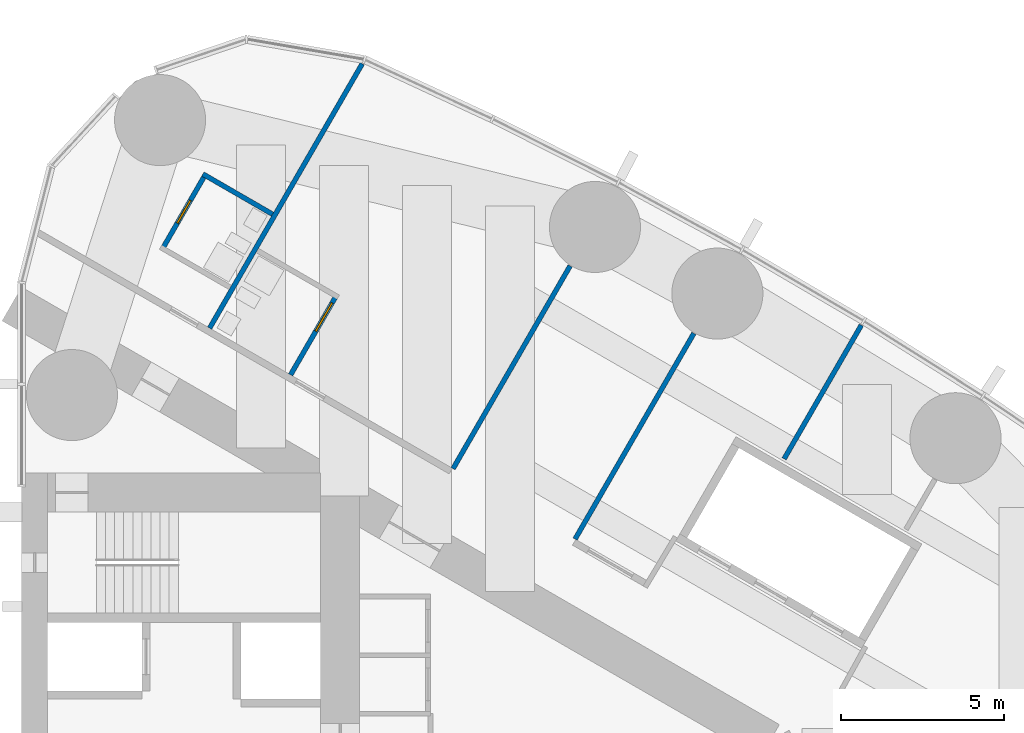
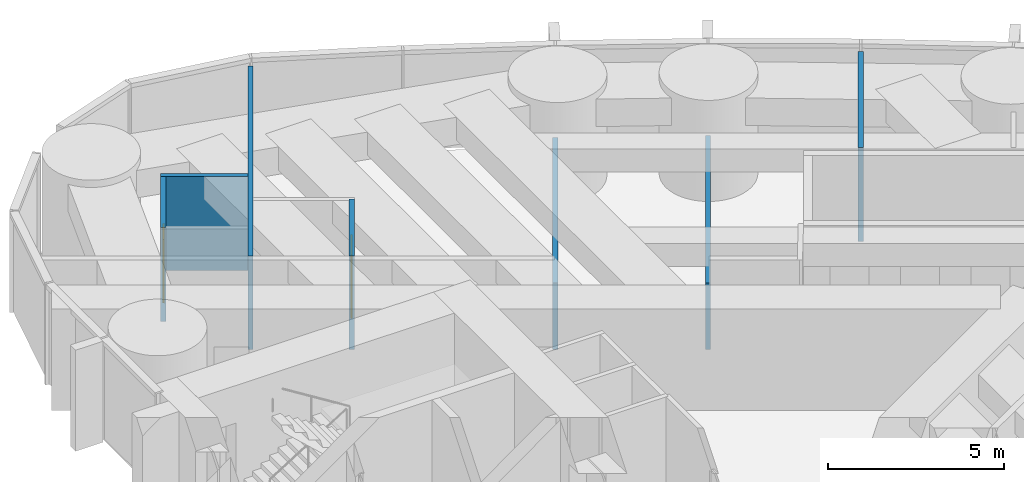
# One storey, part 16 of 19: 7 walls, 2 doors, 2 openings.
"""IFC4 building model written with IfcOpenShell, lengths in metres."""

from ifc_helpers import new_model, si_unit, direction, frame, frame_2d, origin, place, context, subcontext, project, spatial, rectangle, extrude, material, layer, layer_set, type_object, element, fill, save


model = new_model("IFC4")

# Units and contexts
model_context = context("Model", 3, precision=1e-05, world=origin(), true_north=direction((0.0, 1.0)))
body_context = subcontext(model_context, "Body", "Model", "MODEL_VIEW")
ifc_project = project(units=[si_unit("LENGTHUNIT", "METRE"), si_unit("AREAUNIT", "SQUARE_METRE"), si_unit("VOLUMEUNIT", "CUBIC_METRE"), si_unit("PLANEANGLEUNIT", "RADIAN"), si_unit("MASSUNIT", "GRAM", prefix="KILO")], contexts=[model_context])

# Site, building, storey
site_placement = place(None, origin())
site = spatial("IfcSite", under=ifc_project, at=site_placement, CompositionType="ELEMENT")
building_placement = place(site_placement, origin())
building = spatial("IfcBuilding", under=site, at=building_placement, Name="Lancet Gate Hotel", CompositionType="ELEMENT")
storey_placement = place(building_placement, frame((0.0, 0.0, 191.300048828125)))
storey = spatial("IfcBuildingStorey", under=building, at=storey_placement, Name="L51", CompositionType="ELEMENT", Elevation=191.300048828125)

# Wall, opening, door
ifc_material_1 = material(Name="Moisture resistant board partition")
ifc_layer_1 = layer(ifc_material_1, 0.14990234375)
ifc_layer_set_1 = layer_set([ifc_layer_1], Name="Bathroom wall 150")
wall_type_1 = type_object("IfcWallType", Name="Bathroom wall 150", PredefinedType="PARTITIONING", material=ifc_layer_set_1)
wall_1_placement = place(storey_placement, frame((35.7734375, 11.621337890625, 0.0), z_axis=(0.0, 0.0, 1.0), x_axis=(0.49998411664, 0.866034573852, 0.0)))
wall_1 = element("IfcWall", 1, at=wall_1_placement, inside=storey, type_object=wall_type_1, Name="T2 bathroom wall 150 L51", PredefinedType="PARTITIONING", context=body_context, shape_type="SweptSolid", body=[
    extrude(rectangle(XDim=2.7998046875, YDim=0.14990234375, at=frame_2d((1.39990234375, 0.0))), origin(), (0.0, 0.0, 1.0), 3.25),
])
opening_1_placement = place(wall_1_placement, frame((1.550048828125, 0.0, 0.0)))
opening_1 = element("IfcOpeningElement", 2, at=opening_1_placement, cuts=wall_1, Name="Opening 5162-B", PredefinedType="OPENING", context=body_context, shape_type="SweptSolid", body=[
    extrude(rectangle(XDim=1.0, YDim=2.199951171875, at=frame_2d((0.5, 1.10009765625))), frame((0.0, 0.0849609375, 0.0), z_axis=(0.0, -1.0, 0.0), x_axis=(1.0, 0.0, 0.0)), (0.0, 0.0, 1.0), 0.169921875),
])
ifc_material_2 = material(Name="Timber door set", Category="wood")
door_type_1 = type_object("IfcDoorType", Name="Accessible en-suite door 1000", OperationType="SINGLE_SWING_RIGHT", PredefinedType="DOOR", material=ifc_material_2)
door_1_placement = place(opening_1_placement, origin())
door_1 = element("IfcDoor", 3, at=door_1_placement, inside=storey, type_object=door_type_1, Name="5162-B", OperationType="SINGLE_SWING_RIGHT", OverallHeight=2.199951171875, OverallWidth=1.0, PredefinedType="DOOR", context=body_context, shape_type="SweptSolid", body=[
    extrude(rectangle(XDim=1.0, YDim=2.199951171875, at=frame_2d((0.5, 1.10009765625))), frame((0.0, 0.02490234375, 0.0), z_axis=(0.0, -1.0, 0.0), x_axis=(1.0, 0.0, 0.0)), (0.0, 0.0, 1.0), 0.050048828125),
])
fill(opening_1, door_1)

# Wall
wall_2_placement = place(storey_placement, frame((33.0751953125, 17.798095703125, 0.0), z_axis=(0.0, 0.0, 1.0), x_axis=(0.866006523861, -0.500032699561, 0.0)))
element("IfcWall", 4, at=wall_2_placement, inside=storey, type_object=wall_type_1, Name="T2 bathroom wall 150 L51", PredefinedType="PARTITIONING", context=body_context, shape_type="SweptSolid", body=[
    extrude(rectangle(XDim=2.474853515625, YDim=0.14990234375, at=frame_2d((1.2373046875, 0.0))), origin(), (0.0, 0.0, 1.0), 3.25),
])

# Wall, opening, door
wall_3_placement = place(storey_placement, frame((31.840087890625, 15.5087890625, 0.0), z_axis=(0.0, 0.0, 1.0), x_axis=(0.500006934395, 0.866021400173, 0.0)))
wall_3 = element("IfcWall", 5, at=wall_3_placement, inside=storey, type_object=wall_type_1, Name="T2 bathroom wall 150 L51", PredefinedType="PARTITIONING", context=body_context, shape_type="SweptSolid", body=[
    extrude(rectangle(XDim=2.60009765625, YDim=0.14990234375, at=frame_2d((1.300048828125, 0.0))), origin(), (0.0, 0.0, 1.0), 3.25),
])
opening_2_placement = place(wall_3_placement, frame((0.89990234375, 0.0, 0.0)))
opening_2 = element("IfcOpeningElement", 6, at=opening_2_placement, cuts=wall_3, Name="Opening 5164-B", PredefinedType="OPENING", context=body_context, shape_type="SweptSolid", body=[
    extrude(rectangle(XDim=0.800048828125, YDim=2.199951171875, at=frame_2d((0.39990234375, 1.10009765625))), frame((0.0, 0.0849609375, 0.0), z_axis=(0.0, -1.0, 0.0), x_axis=(1.0, 0.0, 0.0)), (0.0, 0.0, 1.0), 0.169921875),
])
ifc_material_3 = material(Name="Timber door set", Category="wood")
door_type_2 = type_object("IfcDoorType", Name="Bathroom door 800", OperationType="SINGLE_SWING_RIGHT", PredefinedType="DOOR", material=ifc_material_3)
door_2_placement = place(opening_2_placement, origin())
door_2 = element("IfcDoor", 7, at=door_2_placement, inside=storey, type_object=door_type_2, Name="5164-B", OperationType="SINGLE_SWING_RIGHT", OverallHeight=2.199951171875, OverallWidth=0.800048828125, PredefinedType="DOOR", context=body_context, shape_type="SweptSolid", body=[
    extrude(rectangle(XDim=0.800048828125, YDim=2.199951171875, at=frame_2d((0.39990234375, 1.10009765625))), frame((0.0, 0.02490234375, 0.0), z_axis=(0.0, -1.0, 0.0), x_axis=(1.0, 0.0, 0.0)), (0.0, 0.0, 1.0), 0.050048828125),
])
fill(opening_2, door_2)

# Walls
ifc_material_4 = material(Name="Gypsum board partition")
ifc_layer_2 = layer(ifc_material_4, 0.14990234375)
ifc_layer_set_2 = layer_set([ifc_layer_2], Name="Party wall 150")
wall_type_2 = type_object("IfcWallType", Name="Party wall 150", PredefinedType="PARTITIONING", material=ifc_layer_set_2)
wall_4_placement = place(storey_placement, frame((33.28369140625, 13.058837890625, 0.0), z_axis=(0.0, 0.0, 1.0), x_axis=(0.499985904184, 0.866033541855, 0.0)))
element("IfcWall", 8, at=wall_4_placement, inside=storey, type_object=wall_type_2, Name="T2 party wall 150 L51", PredefinedType="PARTITIONING", context=body_context, shape_type="SweptSolid", body=[
    extrude(rectangle(XDim=9.385498046875, YDim=0.14990234375, at=frame_2d((4.69287109375, 0.0))), origin(), (0.0, 0.0, 1.0), 3.25),
])
wall_5_placement = place(storey_placement, frame((40.769287109375, 8.737060546875, 0.0), z_axis=(0.0, 0.0, 1.0), x_axis=(0.500013115284, 0.866017831539, 0.0)))
element("IfcWall", 9, at=wall_5_placement, inside=storey, type_object=wall_type_2, Name="T2 party wall 150 L51", PredefinedType="PARTITIONING", context=body_context, shape_type="SweptSolid", body=[
    extrude(rectangle(XDim=7.197998046875, YDim=0.14990234375, at=frame_2d((3.59912109375, 0.0))), origin(), (0.0, 0.0, 1.0), 2.300048828125),
])
wall_6_placement = place(storey_placement, frame((44.521484375, 6.57080078125, 0.0), z_axis=(0.0, 0.0, 1.0), x_axis=(0.500020376429, 0.866013639128, 0.0)))
element("IfcWall", 10, at=wall_6_placement, inside=storey, type_object=wall_type_2, Name="T2 party wall 150 L51", PredefinedType="PARTITIONING", context=body_context, shape_type="SweptSolid", body=[
    extrude(rectangle(XDim=7.306396484375, YDim=0.14990234375, at=frame_2d((3.6533203125, 0.0))), origin(), (0.0, 0.0, 1.0), 2.300048828125),
])
wall_7_placement = place(storey_placement, frame((50.949951171875, 9.037353515625, 0.0), z_axis=(0.0, 0.0, 1.0), x_axis=(0.499988022762, 0.866032318735, 0.0)))
element("IfcWall", 11, at=wall_7_placement, inside=storey, type_object=wall_type_2, Name="T2 party wall 150 L51", PredefinedType="PARTITIONING", context=body_context, shape_type="SweptSolid", body=[
    extrude(rectangle(XDim=4.748046875, YDim=0.14990234375, at=frame_2d((2.3740234375, 0.0))), origin(), (0.0, 0.0, 1.0), 3.25),
])

save(model, "model.ifc")
